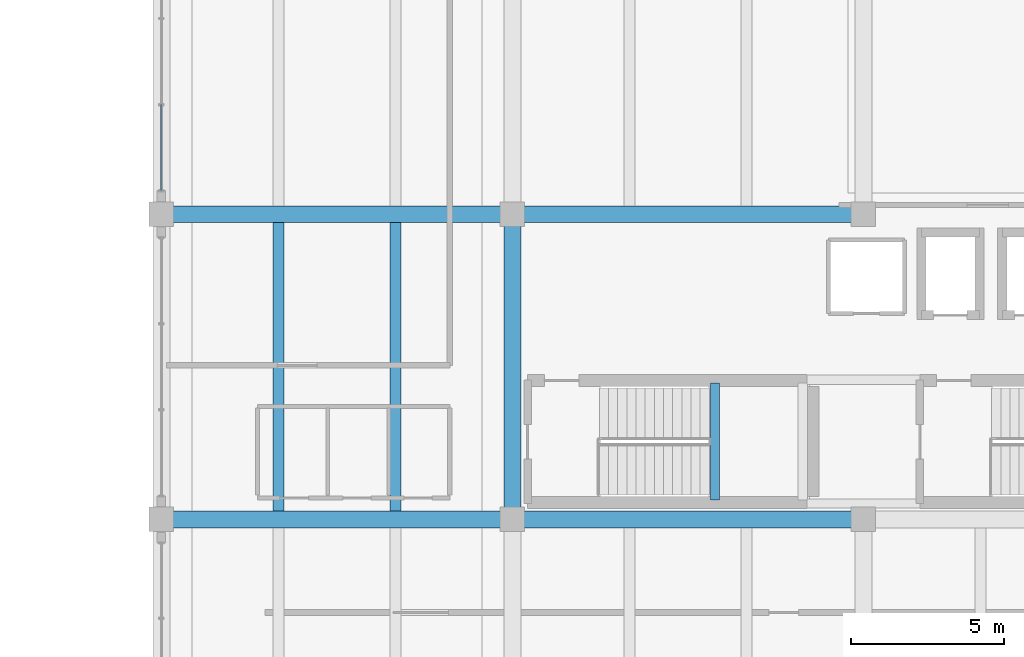
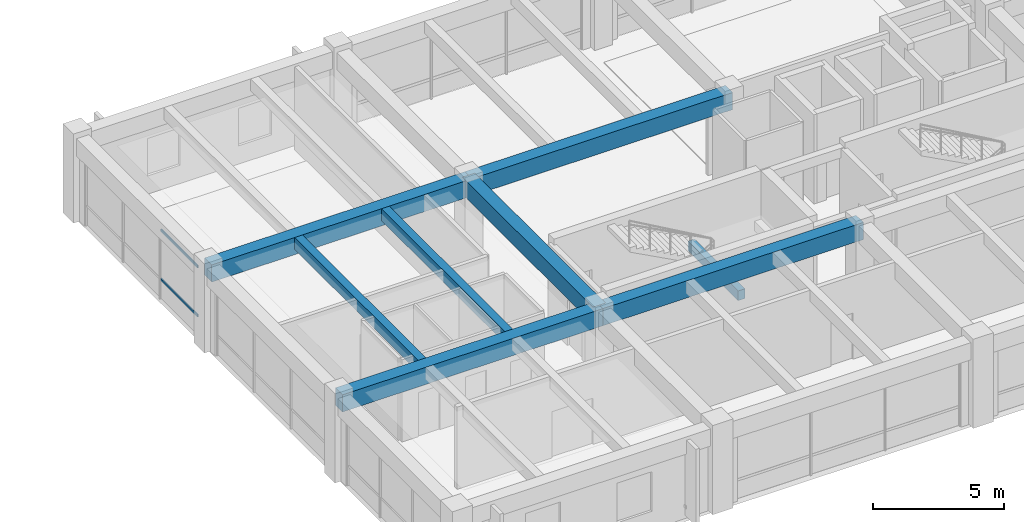
# One storey, part 14 of 33: 8 beams, 2 members, 1 element without a shape of its own.
"""IFC4 building model written with IfcOpenShell, lengths in metres."""

from ifc_helpers import new_model, si_unit, direction, frame, origin, origin_2d, place, context, subcontext, project, spatial, rectangle, hollow_rectangle, extrude, material, material_profile, profile_set, type_object, element, aggregate, save


model = new_model("IFC4")

# Units and contexts
model_context = context("Model", 3, precision=1e-05, world=origin(), true_north=direction((0.0, 1.0)))
body_context = subcontext(model_context, "Body", "Model", "MODEL_VIEW")
ifc_project = project(units=[si_unit("LENGTHUNIT", "METRE"), si_unit("AREAUNIT", "SQUARE_METRE"), si_unit("VOLUMEUNIT", "CUBIC_METRE"), si_unit("PLANEANGLEUNIT", "RADIAN"), si_unit("MASSUNIT", "GRAM", prefix="KILO")], contexts=[model_context])

# Site, building, storey
site_placement = place(None, origin())
site = spatial("IfcSite", under=ifc_project, at=site_placement, CompositionType="ELEMENT")
building_placement = place(site_placement, origin())
building = spatial("IfcBuilding", under=site, at=building_placement, Name="Ologun Quay Terminus", CompositionType="ELEMENT")
storey_placement = place(building_placement, frame((0.0, 0.0, 18.300048828125)))
storey = spatial("IfcBuildingStorey", under=building, at=storey_placement, Name="L04", CompositionType="ELEMENT", Elevation=18.300048828125)

# Beam
ifc_material_1 = material(Name="Concrete C40/50", Category="concrete")
ifc_material_profile_1 = material_profile(ifc_material_1, rectangle(XDim=0.300048828125, YDim=0.449951171875, at=origin_2d()), Name="RC 300x450")
ifc_profile_set_1 = profile_set([ifc_material_profile_1], Name="Concrete C40/50")
beam_type_1 = type_object("IfcBeamType", Name="Core Coupling Lintel Beam 300x450", PredefinedType="LINTEL", material=ifc_profile_set_1)
beam_1_placement = place(storey_placement, frame((133.139892578125, 95.429931640625, 1.675048828125), z_axis=(0.0, 1.0, 0.0), x_axis=(-1.0, 0.0, 0.0)))
element("IfcBeam", 1, at=beam_1_placement, inside=storey, type_object=beam_type_1, Name="LN1 Half-Landing Ledger Beam ST-E1-W L04", PredefinedType="LINTEL", context=body_context, shape_type="SweptSolid", body=[
    extrude(rectangle(XDim=0.300048828125, YDim=0.449951171875, at=origin_2d()), origin(), (0.0, 0.0, 1.0), 3.840087890625),
])

# Curtain wall, members
ifc_material_2 = material(Name="Aluminium 6063-T6", Category="aluminium")
curtain_wall_type = type_object("IfcCurtainWallType", Name="Rain-Garden East Courtyard Curtain Wall L04 9200x3800", PredefinedType="USERDEFINED", material=ifc_material_2)
curtain_wall_placement = place(storey_placement, origin())
curtain_wall = element("IfcCurtainWall", 2, at=curtain_wall_placement, inside=storey, type_object=curtain_wall_type, Name="CW-21 Curtain Wall CW-L04-151", ObjectType="UNITISED CURTAIN WALL", PredefinedType="USERDEFINED")
ifc_material_3 = material(Name="Aluminium 6063-T6", Category="aluminium")
ifc_material_profile_2 = material_profile(ifc_material_3, hollow_rectangle(XDim=0.054931640625, YDim=0.110107421875, WallThickness=0.00390625, at=origin_2d()), Name="ALU 110x55x4")
ifc_profile_set_2 = profile_set([ifc_material_profile_2], Name="Aluminium 6063-T6")
member_type = type_object("IfcMemberType", Name="Courtyard Screen Transom 110x55", PredefinedType="USERDEFINED", material=ifc_profile_set_2)
member_1_placement = place(storey_placement, frame((115.0, 105.570068359375, 0.89990234375), z_axis=(0.0, 1.0, 0.0), x_axis=(-1.0, 0.0, 0.0)))
member_1 = element("IfcMember", 3, at=member_1_placement, type_object=member_type, Name="CW-L04-151 Transom B1-1", ObjectType="TRANSOM", PredefinedType="USERDEFINED", context=body_context, shape_type="SweptSolid", body=[
    extrude(hollow_rectangle(XDim=0.054931640625, YDim=0.110107421875, WallThickness=0.00390625, at=origin_2d()), origin(), (0.0, 0.0, 1.0), 2.81982421875),
])
member_2_placement = place(storey_placement, frame((115.0, 105.570068359375, 3.18994140625), z_axis=(0.0, 1.0, 0.0), x_axis=(-1.0, 0.0, 0.0)))
member_2 = element("IfcMember", 4, at=member_2_placement, type_object=member_type, Name="CW-L04-151 Transom B1-2", ObjectType="TRANSOM", PredefinedType="USERDEFINED", context=body_context, shape_type="SweptSolid", body=[
    extrude(hollow_rectangle(XDim=0.054931640625, YDim=0.110107421875, WallThickness=0.00390625, at=origin_2d()), origin(), (0.0, 0.0, 1.0), 2.81982421875),
])
aggregate(curtain_wall, [member_1, member_2])

# Beams
ifc_material_4 = material(Name="Concrete C40/50", Category="concrete")
ifc_material_profile_3 = material_profile(ifc_material_4, rectangle(XDim=0.550048828125, YDim=0.800048828125, at=origin_2d()), Name="RC 550x800")
ifc_profile_set_3 = profile_set([ifc_material_profile_3], Name="Concrete C40/50")
beam_type_2 = type_object("IfcBeamType", Name="Courtyard Wing Primary Girder 550x800", PredefinedType="BEAM", material=ifc_profile_set_3)
for number, where, z_axis, x_axis, name in (
    (5, (115.0, 94.800048828125, 3.5), (1.0, 0.0, 0.0), (0.0, 1.0, 0.0), "B4 Beam 11/H L04"),
    (6, (126.5, 94.800048828125, 3.5), (1.0, 0.0, 0.0), (0.0, 1.0, 0.0), "B4 Beam 12/H L04"),
    (7, (115.0, 104.800048828125, 3.5), (1.0, 0.0, 0.0), (0.0, 1.0, 0.0), "B4 Beam 11/J L04"),
    (8, (126.5, 104.800048828125, 3.5), (1.0, 0.0, 0.0), (0.0, 1.0, 0.0), "B4 Beam 12/J L04"),
):
    element("IfcBeam", number, at=place(storey_placement, frame(where, z_axis=z_axis, x_axis=x_axis)), inside=storey, type_object=beam_type_2, Name=name, PredefinedType="BEAM", context=body_context, shape_type="SweptSolid", body=[
        extrude(rectangle(XDim=0.550048828125, YDim=0.800048828125, at=origin_2d()), origin(), (0.0, 0.0, 1.0), 11.5),
    ])
beam_2_placement = place(storey_placement, frame((126.5, 94.800048828125, 3.5), z_axis=(0.0, 1.0, 0.0), x_axis=(-1.0, 0.0, 0.0)))
element("IfcBeam", 9, at=beam_2_placement, inside=storey, type_object=beam_type_2, Name="B4 Beam 12/H L04", PredefinedType="BEAM", context=body_context, shape_type="SweptSolid", body=[
    extrude(rectangle(XDim=0.550048828125, YDim=0.800048828125, at=origin_2d()), origin(), (0.0, 0.0, 1.0), 10.0),
])
ifc_material_5 = material(Name="Concrete C40/50", Category="concrete")
ifc_material_profile_4 = material_profile(ifc_material_5, rectangle(XDim=0.35009765625, YDim=0.550048828125, at=origin_2d()), Name="RC 350x550")
ifc_profile_set_4 = profile_set([ifc_material_profile_4], Name="Concrete C40/50")
beam_type_3 = type_object("IfcBeamType", Name="Courtyard Wing Secondary Joist 350x550", PredefinedType="JOIST", material=ifc_profile_set_4)
for number, where, z_axis, x_axis, name in (
    (10, (118.833251953125, 95.074951171875, 3.625), (0.0, 1.0, 0.0), (-1.0, 0.0, 0.0), "J2 Beam 11/H L04"),
    (11, (122.666748046875, 95.074951171875, 3.625), (0.0, 1.0, 0.0), (-1.0, 0.0, 0.0), "J2 Beam 11/H L04"),
):
    element("IfcBeam", number, at=place(storey_placement, frame(where, z_axis=z_axis, x_axis=x_axis)), inside=storey, type_object=beam_type_3, Name=name, PredefinedType="JOIST", context=body_context, shape_type="SweptSolid", body=[
        extrude(rectangle(XDim=0.35009765625, YDim=0.550048828125, at=origin_2d()), origin(), (0.0, 0.0, 1.0), 9.449951171875),
    ])

save(model, "model.ifc")
